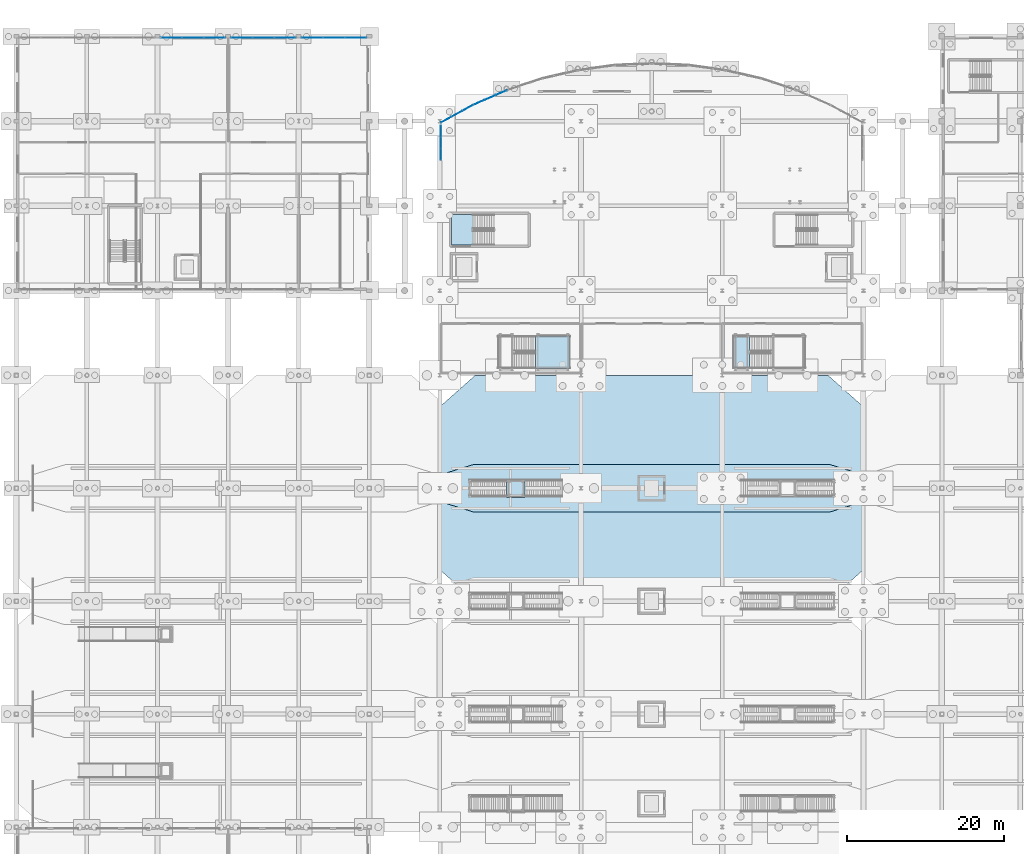
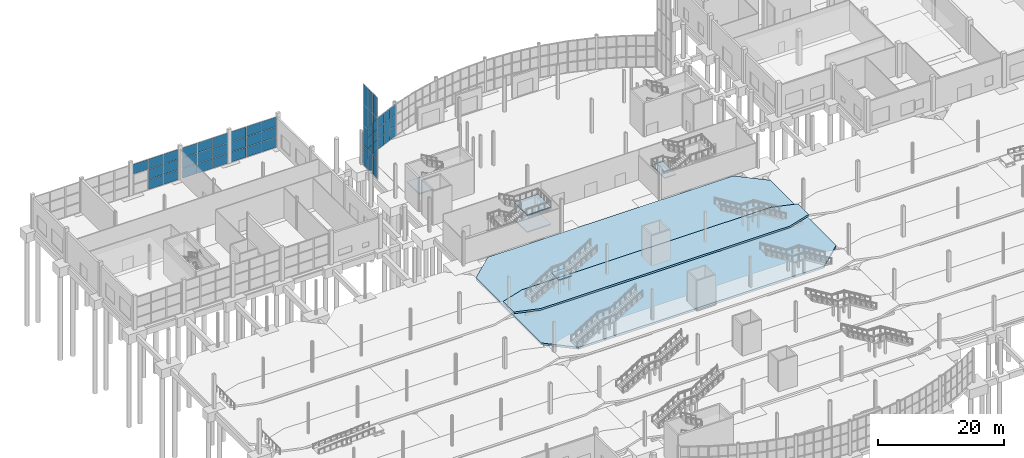
# One storey, part 80 of 115: 55 plates, 7 slabs, 10 elements without a shape of their own.
"""IFC4 building model written with IfcOpenShell, lengths in metres."""

from ifc_helpers import new_model, si_unit, direction, frame, origin, origin_2d, place, context, subcontext, project, spatial, polyline, rectangle, outline, extrude, material, layer, layer_set, type_object, element, aggregate, save


model = new_model("IFC4")

# Units and contexts
model_context = context("Model", 3, precision=1e-05, world=origin(), true_north=direction((0.0, 1.0)))
body_context = subcontext(model_context, "Body", "Model", "MODEL_VIEW")
ifc_project = project(units=[si_unit("LENGTHUNIT", "METRE"), si_unit("AREAUNIT", "SQUARE_METRE"), si_unit("VOLUMEUNIT", "CUBIC_METRE"), si_unit("PLANEANGLEUNIT", "RADIAN"), si_unit("MASSUNIT", "GRAM", prefix="KILO")], contexts=[model_context])

# Site, building, storey
site_placement = place(None, origin())
site = spatial("IfcSite", under=ifc_project, at=site_placement, CompositionType="ELEMENT")
building_placement = place(site_placement, origin())
building = spatial("IfcBuilding", under=site, at=building_placement, Name="Tamarisk Ironworks Central Station", CompositionType="ELEMENT")
storey_placement = place(building_placement, origin())
storey = spatial("IfcBuildingStorey", under=building, at=storey_placement, Name="L00", CompositionType="ELEMENT", Elevation=0.0)

# Curtain wall, plates
ifc_material_1 = material(Name="Anodized aluminium alloy 6063-T6", Category="aluminium")
ifc_layer_1 = layer(ifc_material_1, 0.179931640625)
ifc_layer_set_1 = layer_set([ifc_layer_1], Name="Anodized aluminium alloy 6063-T6")
curtain_wall_type_1 = type_object("IfcCurtainWallType", Name="CW-04", PredefinedType="USERDEFINED", material=ifc_layer_set_1)
curtain_wall_1_placement = place(storey_placement, origin())
curtain_wall_1 = element("IfcCurtainWall", 1, at=curtain_wall_1_placement, inside=storey, type_object=curtain_wall_type_1, Name="Concourse W track-overlook curtain wall 09", ObjectType="GLAZED CURTAIN WALL", PredefinedType="USERDEFINED")
ifc_layer_2 = layer(ifc_material_1, 0.02392578125)
ifc_layer_set_2 = layer_set([ifc_layer_2], Name="Anodized aluminium alloy 6063-T6")
plate_type_1 = type_object("IfcPlateType", Name="PL-CWP24", PredefinedType="CURTAIN_PANEL", material=ifc_layer_set_2)
plate_1_placement = place(storey_placement, frame((54.1201171875, 107.399658203125, 0.05908203125), z_axis=(0.0, 0.0, 1.0), x_axis=(0.0, 1.0, 0.0)))
plate_1 = element("IfcPlate", 2, at=plate_1_placement, type_object=plate_type_1, Name="CW04 panel 1.1", PredefinedType="CURTAIN_PANEL", context=body_context, shape_type="SweptSolid", body=[
    extrude(rectangle(XDim=1.381103515625, YDim=0.02392578125, at=origin_2d()), origin(), (0.0, 0.0, 1.0), 3.869384765625),
])
plate_2_placement = place(storey_placement, frame((54.1201171875, 107.399658203125, 3.9814453125), z_axis=(0.0, 0.0, 1.0), x_axis=(0.0, 1.0, 0.0)))
plate_2 = element("IfcPlate", 3, at=plate_2_placement, type_object=plate_type_1, Name="CW04 panel 1.2", PredefinedType="CURTAIN_PANEL", context=body_context, shape_type="SweptSolid", body=[
    extrude(rectangle(XDim=1.381103515625, YDim=0.02392578125, at=origin_2d()), origin(), (0.0, 0.0, 1.0), 3.902099609375),
])
plate_3_placement = place(storey_placement, frame((54.1201171875, 107.399658203125, 7.9365234375), z_axis=(0.0, 0.0, 1.0), x_axis=(0.0, 1.0, 0.0)))
plate_3 = element("IfcPlate", 4, at=plate_3_placement, type_object=plate_type_1, Name="CW04 panel 1.3", PredefinedType="CURTAIN_PANEL", context=body_context, shape_type="SweptSolid", body=[
    extrude(rectangle(XDim=1.381103515625, YDim=0.02392578125, at=origin_2d()), origin(), (0.0, 0.0, 1.0), 3.902099609375),
])
plate_4_placement = place(storey_placement, frame((54.1201171875, 107.399658203125, 11.8916015625), z_axis=(0.0, 0.0, 1.0), x_axis=(0.0, 1.0, 0.0)))
plate_4 = element("IfcPlate", 5, at=plate_4_placement, type_object=plate_type_1, Name="CW04 panel 1.4", PredefinedType="CURTAIN_PANEL", context=body_context, shape_type="SweptSolid", body=[
    extrude(rectangle(XDim=1.381103515625, YDim=0.02392578125, at=origin_2d()), origin(), (0.0, 0.0, 1.0), 3.869384765625),
])
plate_5_placement = place(storey_placement, frame((54.1201171875, 108.85009765625, 0.05908203125), z_axis=(0.0, 0.0, 1.0), x_axis=(0.0, 1.0, 0.0)))
plate_5 = element("IfcPlate", 6, at=plate_5_placement, type_object=plate_type_1, Name="CW04 panel 2.1", PredefinedType="CURTAIN_PANEL", context=body_context, shape_type="SweptSolid", body=[
    extrude(rectangle(XDim=1.41357421875, YDim=0.02392578125, at=origin_2d()), origin(), (0.0, 0.0, 1.0), 3.869384765625),
])
plate_6_placement = place(storey_placement, frame((54.1201171875, 108.85009765625, 3.9814453125), z_axis=(0.0, 0.0, 1.0), x_axis=(0.0, 1.0, 0.0)))
plate_6 = element("IfcPlate", 7, at=plate_6_placement, type_object=plate_type_1, Name="CW04 panel 2.2", PredefinedType="CURTAIN_PANEL", context=body_context, shape_type="SweptSolid", body=[
    extrude(rectangle(XDim=1.41357421875, YDim=0.02392578125, at=origin_2d()), origin(), (0.0, 0.0, 1.0), 3.902099609375),
])
plate_7_placement = place(storey_placement, frame((54.1201171875, 108.85009765625, 7.9365234375), z_axis=(0.0, 0.0, 1.0), x_axis=(0.0, 1.0, 0.0)))
plate_7 = element("IfcPlate", 8, at=plate_7_placement, type_object=plate_type_1, Name="CW04 panel 2.3", PredefinedType="CURTAIN_PANEL", context=body_context, shape_type="SweptSolid", body=[
    extrude(rectangle(XDim=1.41357421875, YDim=0.02392578125, at=origin_2d()), origin(), (0.0, 0.0, 1.0), 3.902099609375),
])
plate_8_placement = place(storey_placement, frame((54.1201171875, 108.85009765625, 11.8916015625), z_axis=(0.0, 0.0, 1.0), x_axis=(0.0, 1.0, 0.0)))
plate_8 = element("IfcPlate", 9, at=plate_8_placement, type_object=plate_type_1, Name="CW04 panel 2.4", PredefinedType="CURTAIN_PANEL", context=body_context, shape_type="SweptSolid", body=[
    extrude(rectangle(XDim=1.41357421875, YDim=0.02392578125, at=origin_2d()), origin(), (0.0, 0.0, 1.0), 3.869384765625),
])
plate_9_placement = place(storey_placement, frame((54.1201171875, 110.300537109375, 0.05908203125), z_axis=(0.0, 0.0, 1.0), x_axis=(0.0, 1.0, 0.0)))
plate_9 = element("IfcPlate", 10, at=plate_9_placement, type_object=plate_type_1, Name="CW04 panel 3.1", PredefinedType="CURTAIN_PANEL", context=body_context, shape_type="SweptSolid", body=[
    extrude(rectangle(XDim=1.381103515625, YDim=0.02392578125, at=origin_2d()), origin(), (0.0, 0.0, 1.0), 3.869384765625),
])
plate_10_placement = place(storey_placement, frame((54.1201171875, 110.300537109375, 3.9814453125), z_axis=(0.0, 0.0, 1.0), x_axis=(0.0, 1.0, 0.0)))
plate_10 = element("IfcPlate", 11, at=plate_10_placement, type_object=plate_type_1, Name="CW04 panel 3.2", PredefinedType="CURTAIN_PANEL", context=body_context, shape_type="SweptSolid", body=[
    extrude(rectangle(XDim=1.381103515625, YDim=0.02392578125, at=origin_2d()), origin(), (0.0, 0.0, 1.0), 3.902099609375),
])
plate_11_placement = place(storey_placement, frame((54.1201171875, 110.300537109375, 7.9365234375), z_axis=(0.0, 0.0, 1.0), x_axis=(0.0, 1.0, 0.0)))
plate_11 = element("IfcPlate", 12, at=plate_11_placement, type_object=plate_type_1, Name="CW04 panel 3.3", PredefinedType="CURTAIN_PANEL", context=body_context, shape_type="SweptSolid", body=[
    extrude(rectangle(XDim=1.381103515625, YDim=0.02392578125, at=origin_2d()), origin(), (0.0, 0.0, 1.0), 3.902099609375),
])
plate_12_placement = place(storey_placement, frame((54.1201171875, 110.300537109375, 11.8916015625), z_axis=(0.0, 0.0, 1.0), x_axis=(0.0, 1.0, 0.0)))
plate_12 = element("IfcPlate", 13, at=plate_12_placement, type_object=plate_type_1, Name="CW04 panel 3.4", PredefinedType="CURTAIN_PANEL", context=body_context, shape_type="SweptSolid", body=[
    extrude(rectangle(XDim=1.381103515625, YDim=0.02392578125, at=origin_2d()), origin(), (0.0, 0.0, 1.0), 3.869384765625),
])
aggregate(curtain_wall_1, [plate_1, plate_2, plate_3, plate_4, plate_5, plate_6, plate_7, plate_8, plate_9, plate_10, plate_11, plate_12])

ifc_layer_3 = layer(ifc_material_1, 0.179931640625)
ifc_layer_set_3 = layer_set([ifc_layer_3], Name="Anodized aluminium alloy 6063-T6")
curtain_wall_type_2 = type_object("IfcCurtainWallType", Name="CW-12", PredefinedType="USERDEFINED", material=ifc_layer_set_3)
curtain_wall_2_placement = place(storey_placement, origin())
curtain_wall_2 = element("IfcCurtainWall", 14, at=curtain_wall_2_placement, inside=storey, type_object=curtain_wall_type_2, Name="Pavilion L00 N glazed arcade 18", ObjectType="GLAZED CURTAIN WALL", PredefinedType="USERDEFINED")
plate_13_placement = place(storey_placement, frame((19.734130859375, 122.25, 4.044677734375), z_axis=(0.0, 0.0, 1.0), x_axis=(1.0, 0.0, 0.0)))
plate_13 = element("IfcPlate", 15, at=plate_13_placement, type_object=plate_type_1, Name="CW12 panel 1.3", PredefinedType="CURTAIN_PANEL", context=body_context, shape_type="SweptSolid", body=[
    extrude(rectangle(XDim=2.68408203125, YDim=0.02392578125, at=origin_2d()), origin(), (0.0, 0.0, 1.0), 1.90625),
])
plate_14_placement = place(storey_placement, frame((22.5, 122.25, 0.069091796875), z_axis=(0.0, 0.0, 1.0), x_axis=(1.0, 0.0, 0.0)))
plate_14 = element("IfcPlate", 16, at=plate_14_placement, type_object=plate_type_1, Name="CW12 panel 2.1", PredefinedType="CURTAIN_PANEL", context=body_context, shape_type="SweptSolid", body=[
    extrude(rectangle(XDim=2.7216796875, YDim=0.02392578125, at=origin_2d()), origin(), (0.0, 0.0, 1.0), 1.90625),
])
plate_15_placement = place(storey_placement, frame((22.5, 122.25, 2.0380859375), z_axis=(0.0, 0.0, 1.0), x_axis=(1.0, 0.0, 0.0)))
plate_15 = element("IfcPlate", 17, at=plate_15_placement, type_object=plate_type_1, Name="CW12 panel 2.2", PredefinedType="CURTAIN_PANEL", context=body_context, shape_type="SweptSolid", body=[
    extrude(rectangle(XDim=2.7216796875, YDim=0.02392578125, at=origin_2d()), origin(), (0.0, 0.0, 1.0), 1.943603515625),
])
plate_16_placement = place(storey_placement, frame((22.5, 122.25, 4.044677734375), z_axis=(0.0, 0.0, 1.0), x_axis=(1.0, 0.0, 0.0)))
plate_16 = element("IfcPlate", 18, at=plate_16_placement, type_object=plate_type_1, Name="CW12 panel 2.3", PredefinedType="CURTAIN_PANEL", context=body_context, shape_type="SweptSolid", body=[
    extrude(rectangle(XDim=2.7216796875, YDim=0.02392578125, at=origin_2d()), origin(), (0.0, 0.0, 1.0), 1.90625),
])
plate_17_placement = place(storey_placement, frame((25.265869140625, 122.25, 0.069091796875), z_axis=(0.0, 0.0, 1.0), x_axis=(1.0, 0.0, 0.0)))
plate_17 = element("IfcPlate", 19, at=plate_17_placement, type_object=plate_type_1, Name="CW12 panel 3.1", PredefinedType="CURTAIN_PANEL", context=body_context, shape_type="SweptSolid", body=[
    extrude(rectangle(XDim=2.68408203125, YDim=0.02392578125, at=origin_2d()), origin(), (0.0, 0.0, 1.0), 1.90625),
])
plate_18_placement = place(storey_placement, frame((25.265869140625, 122.25, 2.0380859375), z_axis=(0.0, 0.0, 1.0), x_axis=(1.0, 0.0, 0.0)))
plate_18 = element("IfcPlate", 20, at=plate_18_placement, type_object=plate_type_1, Name="CW12 panel 3.2", PredefinedType="CURTAIN_PANEL", context=body_context, shape_type="SweptSolid", body=[
    extrude(rectangle(XDim=2.68408203125, YDim=0.02392578125, at=origin_2d()), origin(), (0.0, 0.0, 1.0), 1.943603515625),
])
plate_19_placement = place(storey_placement, frame((25.265869140625, 122.25, 4.044677734375), z_axis=(0.0, 0.0, 1.0), x_axis=(1.0, 0.0, 0.0)))
plate_19 = element("IfcPlate", 21, at=plate_19_placement, type_object=plate_type_1, Name="CW12 panel 3.3", PredefinedType="CURTAIN_PANEL", context=body_context, shape_type="SweptSolid", body=[
    extrude(rectangle(XDim=2.68408203125, YDim=0.02392578125, at=origin_2d()), origin(), (0.0, 0.0, 1.0), 1.90625),
])
aggregate(curtain_wall_2, [plate_13, plate_14, plate_15, plate_16, plate_17, plate_18, plate_19])

curtain_wall_3_placement = place(storey_placement, origin())
curtain_wall_3 = element("IfcCurtainWall", 22, at=curtain_wall_3_placement, inside=storey, type_object=curtain_wall_type_2, Name="Pavilion L00 N glazed arcade 27", ObjectType="GLAZED CURTAIN WALL", PredefinedType="USERDEFINED")
plate_20_placement = place(storey_placement, frame((28.734130859375, 122.25, 0.069091796875), z_axis=(0.0, 0.0, 1.0), x_axis=(1.0, 0.0, 0.0)))
plate_20 = element("IfcPlate", 23, at=plate_20_placement, type_object=plate_type_1, Name="CW12 panel 1.1", PredefinedType="CURTAIN_PANEL", context=body_context, shape_type="SweptSolid", body=[
    extrude(rectangle(XDim=2.68408203125, YDim=0.02392578125, at=origin_2d()), origin(), (0.0, 0.0, 1.0), 1.90625),
])
plate_21_placement = place(storey_placement, frame((28.734130859375, 122.25, 2.0380859375), z_axis=(0.0, 0.0, 1.0), x_axis=(1.0, 0.0, 0.0)))
plate_21 = element("IfcPlate", 24, at=plate_21_placement, type_object=plate_type_1, Name="CW12 panel 1.2", PredefinedType="CURTAIN_PANEL", context=body_context, shape_type="SweptSolid", body=[
    extrude(rectangle(XDim=2.68408203125, YDim=0.02392578125, at=origin_2d()), origin(), (0.0, 0.0, 1.0), 1.943603515625),
])
plate_22_placement = place(storey_placement, frame((28.734130859375, 122.25, 4.044677734375), z_axis=(0.0, 0.0, 1.0), x_axis=(1.0, 0.0, 0.0)))
plate_22 = element("IfcPlate", 25, at=plate_22_placement, type_object=plate_type_1, Name="CW12 panel 1.3", PredefinedType="CURTAIN_PANEL", context=body_context, shape_type="SweptSolid", body=[
    extrude(rectangle(XDim=2.68408203125, YDim=0.02392578125, at=origin_2d()), origin(), (0.0, 0.0, 1.0), 1.90625),
])
plate_23_placement = place(storey_placement, frame((31.5, 122.25, 0.069091796875), z_axis=(0.0, 0.0, 1.0), x_axis=(1.0, 0.0, 0.0)))
plate_23 = element("IfcPlate", 26, at=plate_23_placement, type_object=plate_type_1, Name="CW12 panel 2.1", PredefinedType="CURTAIN_PANEL", context=body_context, shape_type="SweptSolid", body=[
    extrude(rectangle(XDim=2.7216796875, YDim=0.02392578125, at=origin_2d()), origin(), (0.0, 0.0, 1.0), 1.90625),
])
plate_24_placement = place(storey_placement, frame((31.5, 122.25, 2.0380859375), z_axis=(0.0, 0.0, 1.0), x_axis=(1.0, 0.0, 0.0)))
plate_24 = element("IfcPlate", 27, at=plate_24_placement, type_object=plate_type_1, Name="CW12 panel 2.2", PredefinedType="CURTAIN_PANEL", context=body_context, shape_type="SweptSolid", body=[
    extrude(rectangle(XDim=2.7216796875, YDim=0.02392578125, at=origin_2d()), origin(), (0.0, 0.0, 1.0), 1.943603515625),
])
plate_25_placement = place(storey_placement, frame((31.5, 122.25, 4.044677734375), z_axis=(0.0, 0.0, 1.0), x_axis=(1.0, 0.0, 0.0)))
plate_25 = element("IfcPlate", 28, at=plate_25_placement, type_object=plate_type_1, Name="CW12 panel 2.3", PredefinedType="CURTAIN_PANEL", context=body_context, shape_type="SweptSolid", body=[
    extrude(rectangle(XDim=2.7216796875, YDim=0.02392578125, at=origin_2d()), origin(), (0.0, 0.0, 1.0), 1.90625),
])
plate_26_placement = place(storey_placement, frame((34.265869140625, 122.25, 0.069091796875), z_axis=(0.0, 0.0, 1.0), x_axis=(1.0, 0.0, 0.0)))
plate_26 = element("IfcPlate", 29, at=plate_26_placement, type_object=plate_type_1, Name="CW12 panel 3.1", PredefinedType="CURTAIN_PANEL", context=body_context, shape_type="SweptSolid", body=[
    extrude(rectangle(XDim=2.68408203125, YDim=0.02392578125, at=origin_2d()), origin(), (0.0, 0.0, 1.0), 1.90625),
])
plate_27_placement = place(storey_placement, frame((34.265869140625, 122.25, 2.0380859375), z_axis=(0.0, 0.0, 1.0), x_axis=(1.0, 0.0, 0.0)))
plate_27 = element("IfcPlate", 30, at=plate_27_placement, type_object=plate_type_1, Name="CW12 panel 3.2", PredefinedType="CURTAIN_PANEL", context=body_context, shape_type="SweptSolid", body=[
    extrude(rectangle(XDim=2.68408203125, YDim=0.02392578125, at=origin_2d()), origin(), (0.0, 0.0, 1.0), 1.943603515625),
])
plate_28_placement = place(storey_placement, frame((34.265869140625, 122.25, 4.044677734375), z_axis=(0.0, 0.0, 1.0), x_axis=(1.0, 0.0, 0.0)))
plate_28 = element("IfcPlate", 31, at=plate_28_placement, type_object=plate_type_1, Name="CW12 panel 3.3", PredefinedType="CURTAIN_PANEL", context=body_context, shape_type="SweptSolid", body=[
    extrude(rectangle(XDim=2.68408203125, YDim=0.02392578125, at=origin_2d()), origin(), (0.0, 0.0, 1.0), 1.90625),
])
aggregate(curtain_wall_3, [plate_20, plate_21, plate_22, plate_23, plate_24, plate_25, plate_26, plate_27, plate_28])

curtain_wall_4_placement = place(storey_placement, origin())
curtain_wall_4 = element("IfcCurtainWall", 32, at=curtain_wall_4_placement, inside=storey, type_object=curtain_wall_type_2, Name="Pavilion L00 N glazed arcade 36", ObjectType="GLAZED CURTAIN WALL", PredefinedType="USERDEFINED")
plate_29_placement = place(storey_placement, frame((37.734130859375, 122.25, 0.069091796875), z_axis=(0.0, 0.0, 1.0), x_axis=(1.0, 0.0, 0.0)))
plate_29 = element("IfcPlate", 33, at=plate_29_placement, type_object=plate_type_1, Name="CW12 panel 1.1", PredefinedType="CURTAIN_PANEL", context=body_context, shape_type="SweptSolid", body=[
    extrude(rectangle(XDim=2.68408203125, YDim=0.02392578125, at=origin_2d()), origin(), (0.0, 0.0, 1.0), 1.90625),
])
plate_30_placement = place(storey_placement, frame((37.734130859375, 122.25, 2.0380859375), z_axis=(0.0, 0.0, 1.0), x_axis=(1.0, 0.0, 0.0)))
plate_30 = element("IfcPlate", 34, at=plate_30_placement, type_object=plate_type_1, Name="CW12 panel 1.2", PredefinedType="CURTAIN_PANEL", context=body_context, shape_type="SweptSolid", body=[
    extrude(rectangle(XDim=2.68408203125, YDim=0.02392578125, at=origin_2d()), origin(), (0.0, 0.0, 1.0), 1.943603515625),
])
plate_31_placement = place(storey_placement, frame((37.734130859375, 122.25, 4.044677734375), z_axis=(0.0, 0.0, 1.0), x_axis=(1.0, 0.0, 0.0)))
plate_31 = element("IfcPlate", 35, at=plate_31_placement, type_object=plate_type_1, Name="CW12 panel 1.3", PredefinedType="CURTAIN_PANEL", context=body_context, shape_type="SweptSolid", body=[
    extrude(rectangle(XDim=2.68408203125, YDim=0.02392578125, at=origin_2d()), origin(), (0.0, 0.0, 1.0), 1.90625),
])
plate_32_placement = place(storey_placement, frame((40.5, 122.25, 0.069091796875), z_axis=(0.0, 0.0, 1.0), x_axis=(1.0, 0.0, 0.0)))
plate_32 = element("IfcPlate", 36, at=plate_32_placement, type_object=plate_type_1, Name="CW12 panel 2.1", PredefinedType="CURTAIN_PANEL", context=body_context, shape_type="SweptSolid", body=[
    extrude(rectangle(XDim=2.7216796875, YDim=0.02392578125, at=origin_2d()), origin(), (0.0, 0.0, 1.0), 1.90625),
])
plate_33_placement = place(storey_placement, frame((40.5, 122.25, 2.0380859375), z_axis=(0.0, 0.0, 1.0), x_axis=(1.0, 0.0, 0.0)))
plate_33 = element("IfcPlate", 37, at=plate_33_placement, type_object=plate_type_1, Name="CW12 panel 2.2", PredefinedType="CURTAIN_PANEL", context=body_context, shape_type="SweptSolid", body=[
    extrude(rectangle(XDim=2.7216796875, YDim=0.02392578125, at=origin_2d()), origin(), (0.0, 0.0, 1.0), 1.943603515625),
])
plate_34_placement = place(storey_placement, frame((40.5, 122.25, 4.044677734375), z_axis=(0.0, 0.0, 1.0), x_axis=(1.0, 0.0, 0.0)))
plate_34 = element("IfcPlate", 38, at=plate_34_placement, type_object=plate_type_1, Name="CW12 panel 2.3", PredefinedType="CURTAIN_PANEL", context=body_context, shape_type="SweptSolid", body=[
    extrude(rectangle(XDim=2.7216796875, YDim=0.02392578125, at=origin_2d()), origin(), (0.0, 0.0, 1.0), 1.90625),
])
plate_35_placement = place(storey_placement, frame((43.265869140625, 122.25, 0.069091796875), z_axis=(0.0, 0.0, 1.0), x_axis=(1.0, 0.0, 0.0)))
plate_35 = element("IfcPlate", 39, at=plate_35_placement, type_object=plate_type_1, Name="CW12 panel 3.1", PredefinedType="CURTAIN_PANEL", context=body_context, shape_type="SweptSolid", body=[
    extrude(rectangle(XDim=2.68408203125, YDim=0.02392578125, at=origin_2d()), origin(), (0.0, 0.0, 1.0), 1.90625),
])
plate_36_placement = place(storey_placement, frame((43.265869140625, 122.25, 2.0380859375), z_axis=(0.0, 0.0, 1.0), x_axis=(1.0, 0.0, 0.0)))
plate_36 = element("IfcPlate", 40, at=plate_36_placement, type_object=plate_type_1, Name="CW12 panel 3.2", PredefinedType="CURTAIN_PANEL", context=body_context, shape_type="SweptSolid", body=[
    extrude(rectangle(XDim=2.68408203125, YDim=0.02392578125, at=origin_2d()), origin(), (0.0, 0.0, 1.0), 1.943603515625),
])
plate_37_placement = place(storey_placement, frame((43.265869140625, 122.25, 4.044677734375), z_axis=(0.0, 0.0, 1.0), x_axis=(1.0, 0.0, 0.0)))
plate_37 = element("IfcPlate", 41, at=plate_37_placement, type_object=plate_type_1, Name="CW12 panel 3.3", PredefinedType="CURTAIN_PANEL", context=body_context, shape_type="SweptSolid", body=[
    extrude(rectangle(XDim=2.68408203125, YDim=0.02392578125, at=origin_2d()), origin(), (0.0, 0.0, 1.0), 1.90625),
])
aggregate(curtain_wall_4, [plate_29, plate_30, plate_31, plate_32, plate_33, plate_34, plate_35, plate_36, plate_37])

ifc_layer_4 = layer(ifc_material_1, 0.179931640625)
ifc_layer_set_4 = layer_set([ifc_layer_4], Name="Anodized aluminium alloy 6063-T6")
curtain_wall_type_3 = type_object("IfcCurtainWallType", Name="CW-01", PredefinedType="USERDEFINED", material=ifc_layer_set_4)
curtain_wall_5_placement = place(storey_placement, origin())
curtain_wall_5 = element("IfcCurtainWall", 42, at=curtain_wall_5_placement, inside=storey, type_object=curtain_wall_type_3, Name="NN rounded entrance hall L00 curtain wall bay 01", ObjectType="GLAZED CURTAIN WALL", PredefinedType="USERDEFINED")
ifc_material_2 = material(Name="Laminated solar-control low-E glass", Category="glass")
ifc_layer_5 = layer(ifc_material_2, 0.028076171875)
ifc_layer_set_5 = layer_set([ifc_layer_5], Name="Laminated solar-control low-E glass")
plate_type_2 = type_object("IfcPlateType", Name="PL-CWP28", PredefinedType="CURTAIN_PANEL", material=ifc_layer_set_5)
plate_38_placement = place(storey_placement, frame((54.818603515625, 111.79736328125, 0.05908203125), z_axis=(0.0, 0.0, 1.0), x_axis=(0.877374910495, 0.47980544644, 0.0)))
plate_38 = element("IfcPlate", 43, at=plate_38_placement, type_object=plate_type_2, Name="CW01 panel 1.1", PredefinedType="CURTAIN_PANEL", context=body_context, shape_type="SweptSolid", body=[
    extrude(rectangle(XDim=1.484375, YDim=0.028076171875, at=origin_2d()), origin(), (0.0, 0.0, 1.0), 1.98779296875),
])
plate_39_placement = place(storey_placement, frame((54.818603515625, 111.79736328125, 2.099853515625), z_axis=(0.0, 0.0, 1.0), x_axis=(0.877374910495, 0.47980544644, 0.0)))
plate_39 = element("IfcPlate", 44, at=plate_39_placement, type_object=plate_type_2, Name="CW01 panel 1.2", PredefinedType="CURTAIN_PANEL", context=body_context, shape_type="SweptSolid", body=[
    extrude(rectangle(XDim=1.484375, YDim=0.028076171875, at=origin_2d()), origin(), (0.0, 0.0, 1.0), 2.0205078125),
])
plate_40_placement = place(storey_placement, frame((54.818603515625, 111.79736328125, 4.173095703125), z_axis=(0.0, 0.0, 1.0), x_axis=(0.877374910495, 0.47980544644, 0.0)))
plate_40 = element("IfcPlate", 45, at=plate_40_placement, type_object=plate_type_2, Name="CW01 panel 1.3", PredefinedType="CURTAIN_PANEL", context=body_context, shape_type="SweptSolid", body=[
    extrude(rectangle(XDim=1.484375, YDim=0.028076171875, at=origin_2d()), origin(), (0.0, 0.0, 1.0), 1.98779296875),
])
plate_41_placement = place(storey_placement, frame((56.181640625, 112.542724609375, 0.05908203125), z_axis=(0.0, 0.0, 1.0), x_axis=(0.877374910495, 0.47980544644, 0.0)))
plate_41 = element("IfcPlate", 46, at=plate_41_placement, type_object=plate_type_2, Name="CW01 panel 2.1", PredefinedType="CURTAIN_PANEL", context=body_context, shape_type="SweptSolid", body=[
    extrude(rectangle(XDim=1.516845703125, YDim=0.028076171875, at=origin_2d()), origin(), (0.0, 0.0, 1.0), 1.98779296875),
])
plate_42_placement = place(storey_placement, frame((56.181640625, 112.542724609375, 2.099853515625), z_axis=(0.0, 0.0, 1.0), x_axis=(0.877374910495, 0.47980544644, 0.0)))
plate_42 = element("IfcPlate", 47, at=plate_42_placement, type_object=plate_type_2, Name="CW01 panel 2.2", PredefinedType="CURTAIN_PANEL", context=body_context, shape_type="SweptSolid", body=[
    extrude(rectangle(XDim=1.516845703125, YDim=0.028076171875, at=origin_2d()), origin(), (0.0, 0.0, 1.0), 2.0205078125),
])
plate_43_placement = place(storey_placement, frame((56.181640625, 112.542724609375, 4.173095703125), z_axis=(0.0, 0.0, 1.0), x_axis=(0.877374910495, 0.47980544644, 0.0)))
plate_43 = element("IfcPlate", 48, at=plate_43_placement, type_object=plate_type_2, Name="CW01 panel 2.3", PredefinedType="CURTAIN_PANEL", context=body_context, shape_type="SweptSolid", body=[
    extrude(rectangle(XDim=1.516845703125, YDim=0.028076171875, at=origin_2d()), origin(), (0.0, 0.0, 1.0), 1.98779296875),
])
plate_44_placement = place(storey_placement, frame((57.544921875, 113.2880859375, 0.05908203125), z_axis=(0.0, 0.0, 1.0), x_axis=(0.877374910495, 0.47980544644, 0.0)))
plate_44 = element("IfcPlate", 49, at=plate_44_placement, type_object=plate_type_2, Name="CW01 panel 3.1", PredefinedType="CURTAIN_PANEL", context=body_context, shape_type="SweptSolid", body=[
    extrude(rectangle(XDim=1.484375, YDim=0.028076171875, at=origin_2d()), origin(), (0.0, 0.0, 1.0), 1.98779296875),
])
plate_45_placement = place(storey_placement, frame((57.544921875, 113.2880859375, 2.099853515625), z_axis=(0.0, 0.0, 1.0), x_axis=(0.877374910495, 0.47980544644, 0.0)))
plate_45 = element("IfcPlate", 50, at=plate_45_placement, type_object=plate_type_2, Name="CW01 panel 3.2", PredefinedType="CURTAIN_PANEL", context=body_context, shape_type="SweptSolid", body=[
    extrude(rectangle(XDim=1.484375, YDim=0.028076171875, at=origin_2d()), origin(), (0.0, 0.0, 1.0), 2.0205078125),
])
plate_46_placement = place(storey_placement, frame((57.544921875, 113.2880859375, 4.173095703125), z_axis=(0.0, 0.0, 1.0), x_axis=(0.877374910495, 0.47980544644, 0.0)))
plate_46 = element("IfcPlate", 51, at=plate_46_placement, type_object=plate_type_2, Name="CW01 panel 3.3", PredefinedType="CURTAIN_PANEL", context=body_context, shape_type="SweptSolid", body=[
    extrude(rectangle(XDim=1.484375, YDim=0.028076171875, at=origin_2d()), origin(), (0.0, 0.0, 1.0), 1.98779296875),
])
aggregate(curtain_wall_5, [plate_38, plate_39, plate_40, plate_41, plate_42, plate_43, plate_44, plate_45, plate_46])

curtain_wall_6_placement = place(storey_placement, origin())
curtain_wall_6 = element("IfcCurtainWall", 52, at=curtain_wall_6_placement, inside=storey, type_object=curtain_wall_type_3, Name="NN rounded entrance hall L00 curtain wall bay 02", ObjectType="GLAZED CURTAIN WALL", PredefinedType="USERDEFINED")
plate_47_placement = place(storey_placement, frame((58.982666015625, 113.991455078125, 0.05908203125), z_axis=(0.0, 0.0, 1.0), x_axis=(0.917352033503, 0.398076935564, 0.0)))
plate_47 = element("IfcPlate", 53, at=plate_47_placement, type_object=plate_type_2, Name="CW01 panel 1.1", PredefinedType="CURTAIN_PANEL", context=body_context, shape_type="SweptSolid", body=[
    extrude(rectangle(XDim=1.484375, YDim=0.028076171875, at=origin_2d()), origin(), (0.0, 0.0, 1.0), 1.98779296875),
])
plate_48_placement = place(storey_placement, frame((58.982666015625, 113.991455078125, 2.099853515625), z_axis=(0.0, 0.0, 1.0), x_axis=(0.917352033503, 0.398076935564, 0.0)))
plate_48 = element("IfcPlate", 54, at=plate_48_placement, type_object=plate_type_2, Name="CW01 panel 1.2", PredefinedType="CURTAIN_PANEL", context=body_context, shape_type="SweptSolid", body=[
    extrude(rectangle(XDim=1.484375, YDim=0.028076171875, at=origin_2d()), origin(), (0.0, 0.0, 1.0), 2.0205078125),
])
plate_49_placement = place(storey_placement, frame((58.982666015625, 113.991455078125, 4.173095703125), z_axis=(0.0, 0.0, 1.0), x_axis=(0.917352033503, 0.398076935564, 0.0)))
plate_49 = element("IfcPlate", 55, at=plate_49_placement, type_object=plate_type_2, Name="CW01 panel 1.3", PredefinedType="CURTAIN_PANEL", context=body_context, shape_type="SweptSolid", body=[
    extrude(rectangle(XDim=1.484375, YDim=0.028076171875, at=origin_2d()), origin(), (0.0, 0.0, 1.0), 1.98779296875),
])
plate_50_placement = place(storey_placement, frame((60.407958984375, 114.610107421875, 0.05908203125), z_axis=(0.0, 0.0, 1.0), x_axis=(0.917352033503, 0.398076935564, 0.0)))
plate_50 = element("IfcPlate", 56, at=plate_50_placement, type_object=plate_type_2, Name="CW01 panel 2.1", PredefinedType="CURTAIN_PANEL", context=body_context, shape_type="SweptSolid", body=[
    extrude(rectangle(XDim=1.516845703125, YDim=0.028076171875, at=origin_2d()), origin(), (0.0, 0.0, 1.0), 1.98779296875),
])
plate_51_placement = place(storey_placement, frame((60.407958984375, 114.610107421875, 2.099853515625), z_axis=(0.0, 0.0, 1.0), x_axis=(0.917352033503, 0.398076935564, 0.0)))
plate_51 = element("IfcPlate", 57, at=plate_51_placement, type_object=plate_type_2, Name="CW01 panel 2.2", PredefinedType="CURTAIN_PANEL", context=body_context, shape_type="SweptSolid", body=[
    extrude(rectangle(XDim=1.516845703125, YDim=0.028076171875, at=origin_2d()), origin(), (0.0, 0.0, 1.0), 2.0205078125),
])
plate_52_placement = place(storey_placement, frame((60.407958984375, 114.610107421875, 4.173095703125), z_axis=(0.0, 0.0, 1.0), x_axis=(0.917352033503, 0.398076935564, 0.0)))
plate_52 = element("IfcPlate", 58, at=plate_52_placement, type_object=plate_type_2, Name="CW01 panel 2.3", PredefinedType="CURTAIN_PANEL", context=body_context, shape_type="SweptSolid", body=[
    extrude(rectangle(XDim=1.516845703125, YDim=0.028076171875, at=origin_2d()), origin(), (0.0, 0.0, 1.0), 1.98779296875),
])
plate_53_placement = place(storey_placement, frame((61.833251953125, 115.228515625, 0.05908203125), z_axis=(0.0, 0.0, 1.0), x_axis=(0.917352033503, 0.398076935564, 0.0)))
plate_53 = element("IfcPlate", 59, at=plate_53_placement, type_object=plate_type_2, Name="CW01 panel 3.1", PredefinedType="CURTAIN_PANEL", context=body_context, shape_type="SweptSolid", body=[
    extrude(rectangle(XDim=1.484375, YDim=0.028076171875, at=origin_2d()), origin(), (0.0, 0.0, 1.0), 1.98779296875),
])
plate_54_placement = place(storey_placement, frame((61.833251953125, 115.228515625, 2.099853515625), z_axis=(0.0, 0.0, 1.0), x_axis=(0.917352033503, 0.398076935564, 0.0)))
plate_54 = element("IfcPlate", 60, at=plate_54_placement, type_object=plate_type_2, Name="CW01 panel 3.2", PredefinedType="CURTAIN_PANEL", context=body_context, shape_type="SweptSolid", body=[
    extrude(rectangle(XDim=1.484375, YDim=0.028076171875, at=origin_2d()), origin(), (0.0, 0.0, 1.0), 2.0205078125),
])
plate_55_placement = place(storey_placement, frame((61.833251953125, 115.228515625, 4.173095703125), z_axis=(0.0, 0.0, 1.0), x_axis=(0.917352033503, 0.398076935564, 0.0)))
plate_55 = element("IfcPlate", 61, at=plate_55_placement, type_object=plate_type_2, Name="CW01 panel 3.3", PredefinedType="CURTAIN_PANEL", context=body_context, shape_type="SweptSolid", body=[
    extrude(rectangle(XDim=1.484375, YDim=0.028076171875, at=origin_2d()), origin(), (0.0, 0.0, 1.0), 1.98779296875),
])
aggregate(curtain_wall_6, [plate_47, plate_48, plate_49, plate_50, plate_51, plate_52, plate_53, plate_54, plate_55])

# Stair, slabs
ifc_material_3 = material(Name="Concrete C35/45", Category="concrete")
stair_type_1 = type_object("IfcStairType", Name="ST-HALL", PredefinedType="HALF_TURN_STAIR", material=ifc_material_3)
stair_1_placement = place(storey_placement, origin())
stair_1 = element("IfcStair", 62, at=stair_1_placement, inside=storey, type_object=stair_type_1, Name="L00 West Ticket Hall Grand Stair", PredefinedType="HALF_TURN_STAIR")
ifc_layer_6 = layer(ifc_material_3, 0.179931640625)
ifc_layer_set_6 = layer_set([ifc_layer_6], Name="Concrete C35/45")
slab_type_1 = type_object("IfcSlabType", Name="SL-LD180", PredefinedType="LANDING", material=ifc_layer_set_6)
slab_1_placement = place(storey_placement, frame((0.0, 0.0, 1.449951171875)))
slab_1 = element("IfcSlab", 63, at=slab_1_placement, type_object=slab_type_1, Name="ST-TH1 landing 1", PredefinedType="LANDING", context=body_context, shape_type="SweptSolid", body=[
    extrude(outline(polyline([(66.199951171875, 80.10009765625), (70.60009765625, 80.10009765625), (70.60009765625, 84.199951171875), (66.199951171875, 84.199951171875), (66.199951171875, 80.10009765625)])), origin(), (0.0, 0.0, 1.0), 0.199951171875),
])
slab_2_placement = place(storey_placement, frame((0.0, 0.0, 4.75)))
slab_2 = element("IfcSlab", 64, at=slab_2_placement, type_object=slab_type_1, Name="ST-TH1 landing 3", PredefinedType="LANDING", context=body_context, shape_type="SweptSolid", body=[
    extrude(outline(polyline([(66.199951171875, 80.10009765625), (70.60009765625, 80.10009765625), (70.60009765625, 84.199951171875), (66.199951171875, 84.199951171875), (66.199951171875, 80.10009765625)])), origin(), (0.0, 0.0, 1.0), 0.199951171875),
])
aggregate(stair_1, [slab_1, slab_2])

# Stair, slab
stair_2_placement = place(storey_placement, origin())
stair_2 = element("IfcStair", 65, at=stair_2_placement, inside=storey, type_object=stair_type_1, Name="L00 East Ticket Hall Grand Stair", PredefinedType="HALF_TURN_STAIR")
slab_3_placement = place(storey_placement, frame((0.0, 0.0, 3.10009765625)))
slab_3 = element("IfcSlab", 66, at=slab_3_placement, type_object=slab_type_1, Name="ST-TH2 landing 2", PredefinedType="LANDING", context=body_context, shape_type="SweptSolid", body=[
    extrude(outline(polyline([(91.39990234375, 80.10009765625), (93.5, 80.10009765625), (93.5, 84.199951171875), (91.39990234375, 84.199951171875), (91.39990234375, 80.10009765625)])), origin(), (0.0, 0.0, 1.0), 0.199951171875),
])
aggregate(stair_2, [slab_3])

stair_type_2 = type_object("IfcStairType", Name="ST-CORE-B", PredefinedType="HALF_TURN_STAIR", material=ifc_material_3)
stair_3_placement = place(storey_placement, origin())
stair_3 = element("IfcStair", 67, at=stair_3_placement, inside=storey, type_object=stair_type_2, Name="L00 West Concourse Exit Stair Core 3", PredefinedType="HALF_TURN_STAIR")
ifc_layer_7 = layer(ifc_material_3, 0.215087890625)
ifc_layer_set_7 = layer_set([ifc_layer_7], Name="Concrete C35/45")
slab_type_2 = type_object("IfcSlabType", Name="SL-LD220", PredefinedType="LANDING", material=ifc_layer_set_7)
slab_4_placement = place(storey_placement, frame((0.0, 0.0, 3.10009765625)))
slab_4 = element("IfcSlab", 68, at=slab_4_placement, type_object=slab_type_2, Name="ST-C3 landing 2", PredefinedType="LANDING", context=body_context, shape_type="SweptSolid", body=[
    extrude(outline(polyline([(55.5, 95.800048828125), (58.199951171875, 95.800048828125), (58.199951171875, 99.699951171875), (55.5, 99.699951171875), (55.5, 95.800048828125)])), origin(), (0.0, 0.0, 1.0), 0.199951171875),
])
aggregate(stair_3, [slab_4])

stair_type_3 = type_object("IfcStairType", Name="ST-PLAT", PredefinedType="TWO_STRAIGHT_RUN_STAIR", material=ifc_material_3)
stair_4_placement = place(storey_placement, origin())
stair_4 = element("IfcStair", 69, at=stair_4_placement, inside=storey, type_object=stair_type_3, Name="Platform 4 Boarding Stair ST-P4A", PredefinedType="TWO_STRAIGHT_RUN_STAIR")
slab_5_placement = place(storey_placement, frame((0.0, 0.0, 3.445068359375)))
slab_5 = element("IfcSlab", 70, at=slab_5_placement, type_object=slab_type_2, Name="STP1 landing 1", PredefinedType="LANDING", context=body_context, shape_type="SweptSolid", body=[
    extrude(outline(polyline([(62.5, 63.6201171875), (64.860107421875, 63.6201171875), (64.860107421875, 65.97998046875), (62.5, 65.97998046875), (62.5, 63.6201171875)])), origin(), (0.0, 0.0, 1.0), 0.21484375),
])
aggregate(stair_4, [slab_5])

# Slabs
ifc_material_4 = material(Name="Precast concrete C45/55", Category="concrete")
ifc_layer_8 = layer(ifc_material_4, 0.35009765625)
ifc_layer_set_8 = layer_set([ifc_layer_8], Name="Precast concrete C45/55")
slab_type_3 = type_object("IfcSlabType", Name="SL-PL350", PredefinedType="FLOOR", material=ifc_layer_set_8)
slab_6_placement = place(storey_placement, frame((0.0, 0.0, 0.3701171875)))
element("IfcSlab", 71, at=slab_6_placement, inside=storey, type_object=slab_type_3, Name="L00 Platform 4 Raised Boarding Deck M", PredefinedType="FLOOR", context=body_context, shape_type="SweptSolid", body=[
    extrude(outline(polyline([(58.199951171875, 61.800048828125), (103.800048828125, 61.800048828125), (108.0, 63.10009765625), (108.0, 66.5), (103.800048828125, 67.800048828125), (58.199951171875, 67.800048828125), (54.0, 66.5), (54.0, 63.10009765625), (58.199951171875, 61.800048828125)])), origin(), (0.0, 0.0, 1.0), 0.349853515625),
])
ifc_material_5 = material(Name="Concrete C40/50", Category="concrete")
ifc_layer_9 = layer(ifc_material_5, 0.39990234375)
ifc_layer_set_9 = layer_set([ifc_layer_9], Name="Concrete C40/50")
slab_type_4 = type_object("IfcSlabType", Name="SL-TK400", PredefinedType="BASESLAB", material=ifc_layer_set_9)
slab_7_placement = place(storey_placement, frame((0.0, 0.0, -0.39990234375)))
element("IfcSlab", 72, at=slab_7_placement, inside=storey, type_object=slab_type_4, Name="L00 Trackway Ballast Trough Base Slab T2", PredefinedType="BASESLAB", context=body_context, shape_type="SweptSolid", body=[
    extrude(outline(polyline([(58.5, 50.39990234375), (103.5, 50.39990234375), (108.0, 54.39990234375), (108.0, 75.199951171875), (103.5, 79.199951171875), (58.5, 79.199951171875), (54.0, 75.199951171875), (54.0, 54.39990234375), (58.5, 50.39990234375)])), origin(), (0.0, 0.0, 1.0), 0.39990234375),
])

save(model, "model.ifc")
